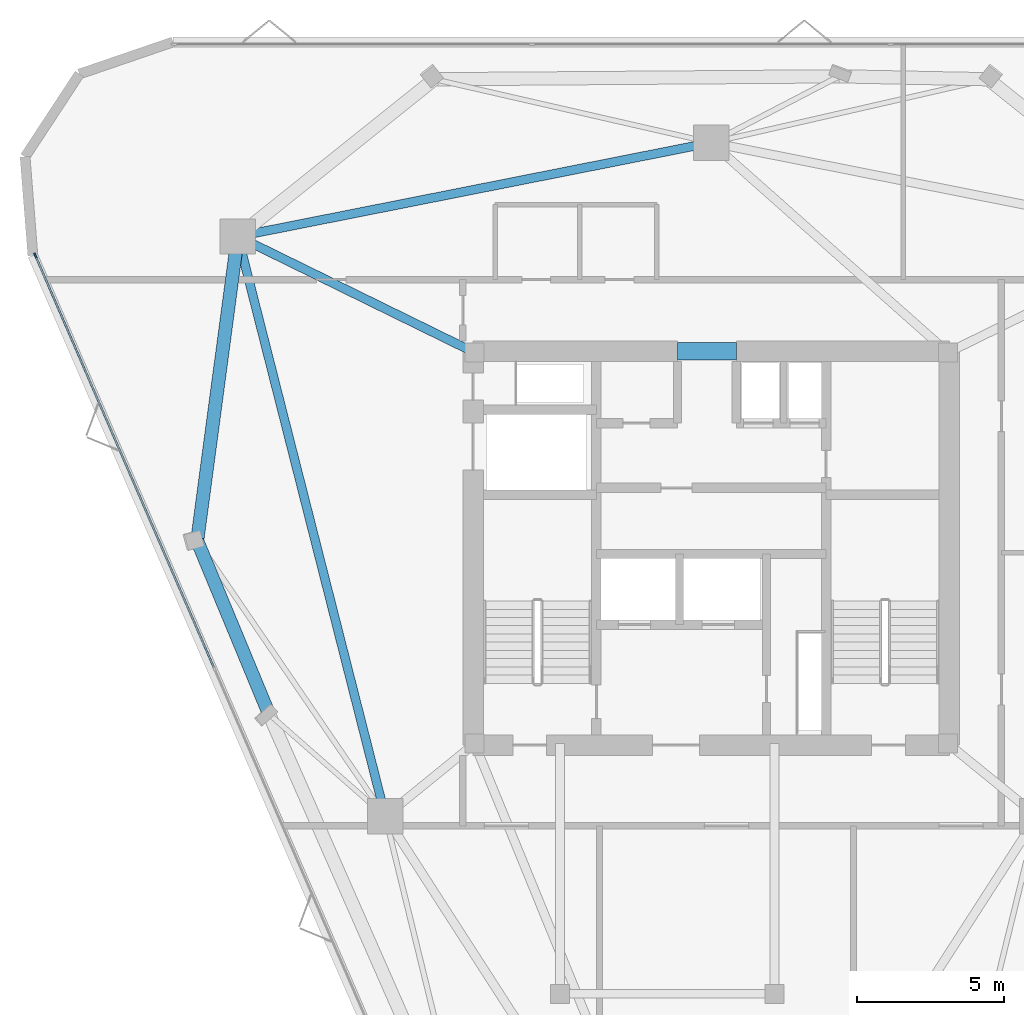
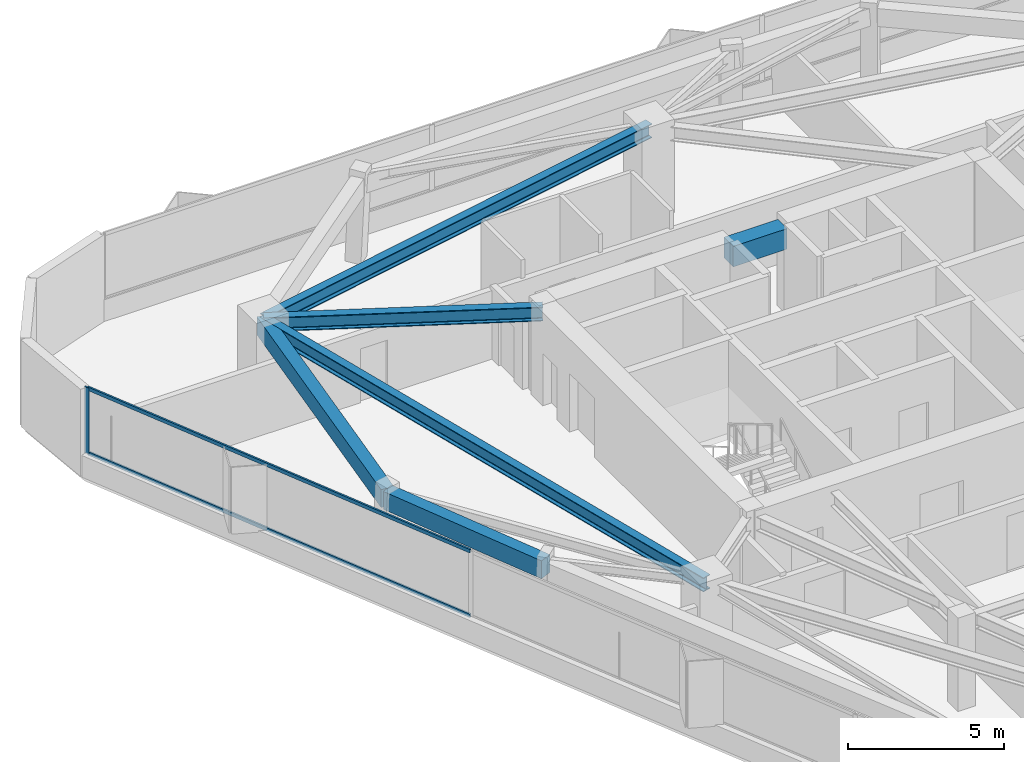
# One storey, part 5 of 11: 6 beams, 3 members, 1 element without a shape of its own.
"""IFC4 building model written with IfcOpenShell, lengths in metres."""

from ifc_helpers import new_model, si_unit, direction, frame, origin, origin_2d, place, context, subcontext, project, spatial, rectangle, i_section, extrude, material, layer, layer_set, material_profile, profile_set, type_object, element, aggregate, save


model = new_model("IFC4")

# Units and contexts
model_context = context("Model", 3, precision=1e-05, world=origin(), true_north=direction((0.0, 1.0)))
body_context = subcontext(model_context, "Body", "Model", "MODEL_VIEW")
ifc_project = project(units=[si_unit("LENGTHUNIT", "METRE"), si_unit("AREAUNIT", "SQUARE_METRE"), si_unit("VOLUMEUNIT", "CUBIC_METRE"), si_unit("PLANEANGLEUNIT", "RADIAN"), si_unit("MASSUNIT", "GRAM", prefix="KILO")], contexts=[model_context])

# Site, building, storey
site_placement = place(None, origin())
site = spatial("IfcSite", under=ifc_project, at=site_placement, CompositionType="ELEMENT")
building_placement = place(site_placement, origin())
building = spatial("IfcBuilding", under=site, at=building_placement, Name="Talyreon Biosciences Tower", CompositionType="ELEMENT")
storey_placement = place(building_placement, frame((0.0, 0.0, 249.85009765625)))
storey = spatial("IfcBuildingStorey", under=building, at=storey_placement, Name="L66", CompositionType="ELEMENT", Elevation=249.85009765625)

# Curtain wall, members
ifc_material_1 = material(Name="Thermally broken aluminium and low-E glazing", Category="aluminium")
ifc_layer = layer(ifc_material_1, 0.175048828125)
ifc_layer_set = layer_set([ifc_layer], Name="Thermally broken aluminium and low-E glazing")
curtain_wall_type = type_object("IfcCurtainWallType", Name="CurtainWall_Zone5CompLab", PredefinedType="NOTDEFINED", material=ifc_layer_set)
curtain_wall_placement = place(storey_placement, origin())
curtain_wall = element("IfcCurtainWall", 1, at=curtain_wall_placement, inside=storey, type_object=curtain_wall_type, Name="L66 Unitised Curtain Wall FCW-L66-00", PredefinedType="NOTDEFINED")
ifc_material_2 = material(Name="Anodised thermally broken aluminium", Category="aluminium")
ifc_material_profile_1 = material_profile(ifc_material_2, rectangle(XDim=0.06494140625, YDim=0.179931640625, at=origin_2d()), Name="ALUM MULLION 65x180")
ifc_profile_set_1 = profile_set([ifc_material_profile_1], Name="Anodised thermally broken aluminium")
member_type_1 = type_object("IfcMemberType", Name="CWMullion_65x180", PredefinedType="MULLION", material=ifc_profile_set_1)
member_1_placement = place(storey_placement, frame((43.010986328125, 77.95263671875, 0.809814453125), z_axis=(0.0, 0.0, 1.0), x_axis=(-0.91758594353, -0.397537465198, 0.0)))
member_1 = element("IfcMember", 2, at=member_1_placement, type_object=member_type_1, Name="CW6 mullion 4", PredefinedType="MULLION", context=body_context, shape_type="SweptSolid", body=[
    extrude(rectangle(XDim=0.06494140625, YDim=0.179931640625, at=origin_2d()), origin(), (0.0, 0.0, 1.0), 2.590087890625),
])
ifc_material_profile_2 = material_profile(ifc_material_2, rectangle(XDim=0.06494140625, YDim=0.139892578125, at=origin_2d()), Name="ALUM TRANSOM 65x140")
ifc_profile_set_2 = profile_set([ifc_material_profile_2], Name="Anodised thermally broken aluminium")
member_type_2 = type_object("IfcMemberType", Name="CWTransom_65x140", PredefinedType="USERDEFINED", material=ifc_profile_set_2)
member_2_placement = place(storey_placement, frame((49.08642578125, 63.929443359375, 0.84228515625), z_axis=(-0.397535103943, 0.917586966523, 0.0), x_axis=(-0.917586966523, -0.397535103943, 0.0)))
member_2 = element("IfcMember", 3, at=member_2_placement, type_object=member_type_2, Name="CW6 transom 3.1", ObjectType="TRANSOM", PredefinedType="USERDEFINED", context=body_context, shape_type="SweptSolid", body=[
    extrude(rectangle(XDim=0.06494140625, YDim=0.139892578125, at=origin_2d()), origin(), (0.0, 0.0, 1.0), 15.250244140625),
])
member_3_placement = place(storey_placement, frame((49.08642578125, 63.929443359375, 3.367431640625), z_axis=(-0.397535103943, 0.917586966523, 0.0), x_axis=(-0.917586966523, -0.397535103943, 0.0)))
member_3 = element("IfcMember", 4, at=member_3_placement, type_object=member_type_2, Name="CW6 transom 3.2", ObjectType="TRANSOM", PredefinedType="USERDEFINED", context=body_context, shape_type="SweptSolid", body=[
    extrude(rectangle(XDim=0.06494140625, YDim=0.139892578125, at=origin_2d()), origin(), (0.0, 0.0, 1.0), 15.250244140625),
])
aggregate(curtain_wall, [member_1, member_2, member_3])

# Beams
ifc_material_3 = material(Name="Concrete C50/60", Category="concrete")
ifc_material_profile_3 = material_profile(ifc_material_3, rectangle(XDim=0.60009765625, YDim=0.800048828125, at=origin_2d()), Name="RCB 600x800")
ifc_profile_set_3 = profile_set([ifc_material_profile_3], Name="Concrete C50/60")
beam_type_1 = type_object("IfcBeamType", Name="CoreCouplingLintel_600x800", PredefinedType="LINTEL", material=ifc_profile_set_3)
beam_1_placement = place(storey_placement, frame((64.85009765625, 74.699951171875, 3.0), z_axis=(1.0, 0.0, 0.0), x_axis=(0.0, 1.0, 0.0)))
element("IfcBeam", 5, at=beam_1_placement, inside=storey, type_object=beam_type_1, Name="L66 Core Coupling Lintel", PredefinedType="LINTEL", context=body_context, shape_type="SweptSolid", body=[
    extrude(rectangle(XDim=0.60009765625, YDim=0.800048828125, at=origin_2d()), origin(), (0.0, 0.0, 1.0), 2.0),
])
ifc_material_4 = material(Name="Precast concrete C45/55", Category="concrete")
ifc_material_profile_4 = material_profile(ifc_material_4, rectangle(XDim=0.449951171875, YDim=0.699951171875, at=origin_2d()), Name="RCB 450x700")
ifc_profile_set_4 = profile_set([ifc_material_profile_4], Name="Precast concrete C45/55")
beam_type_2 = type_object("IfcBeamType", Name="ExpressedSpandrel_450x700", PredefinedType="SPANDREL", material=ifc_profile_set_4)
beam_2_placement = place(storey_placement, frame((49.897705078125, 78.5986328125, 3.0498046875), z_axis=(-0.132322978841, -0.991206653161, 0.0), x_axis=(0.991206653161, -0.132322978841, 0.0)))
element("IfcBeam", 6, at=beam_2_placement, inside=storey, type_object=beam_type_2, Name="L66 Expressed Horizontal Concrete Spandrel 09", PredefinedType="SPANDREL", context=body_context, shape_type="SweptSolid", body=[
    extrude(rectangle(XDim=0.449951171875, YDim=0.699951171875, at=origin_2d()), origin(), (0.0, 0.0, 1.0), 10.44287109375),
])
beam_3_placement = place(storey_placement, frame((48.515869140625, 68.24755859375, 3.0498046875), z_axis=(0.382995915193, -0.923750035965, 0.0), x_axis=(0.923750035965, 0.382995915193, 0.0)))
element("IfcBeam", 7, at=beam_3_placement, inside=storey, type_object=beam_type_2, Name="L66 Expressed Horizontal Concrete Spandrel 10", PredefinedType="SPANDREL", context=body_context, shape_type="SweptSolid", body=[
    extrude(rectangle(XDim=0.449951171875, YDim=0.699951171875, at=origin_2d()), origin(), (0.0, 0.0, 1.0), 6.382080078125),
])
ifc_material_5 = material(Name="Steel SM355", Category="steel")
ifc_material_profile_5 = material_profile(ifc_material_5, i_section(OverallWidth=0.300048828125, OverallDepth=0.550048828125, WebThickness=0.014892578125, FlangeThickness=0.029052734375, FilletRadius=0.027099609375, at=origin_2d()), Name="HE550B")
ifc_profile_set_5 = profile_set([ifc_material_profile_5], Name="Steel SM355")
beam_type_3 = type_object("IfcBeamType", Name="SteelBeam_HE550B", PredefinedType="BEAM", material=ifc_profile_set_5)
beam_4_placement = place(storey_placement, frame((66.0, 81.788818359375, 3.125), z_axis=(-0.980933730698, -0.194342522311, 0.0), x_axis=(0.194342522311, -0.980933730698, 0.0)))
element("IfcBeam", 8, at=beam_4_placement, inside=storey, type_object=beam_type_3, Name="L66 Mega-Ring Girder 4", PredefinedType="BEAM", context=body_context, shape_type="SweptSolid", body=[
    extrude(i_section(OverallWidth=0.300048828125, OverallDepth=0.550048828125, WebThickness=0.014892578125, FlangeThickness=0.029052734375, FilletRadius=0.027099609375, at=origin_2d()), origin(), (0.0, 0.0, 1.0), 16.415283203125),
])
beam_5_placement = place(storey_placement, frame((49.897705078125, 78.5986328125, 3.125), z_axis=(0.246537082299, -0.969133358755, 0.0), x_axis=(0.969133358755, 0.246537082299, 0.0)))
element("IfcBeam", 9, at=beam_5_placement, inside=storey, type_object=beam_type_3, Name="L66 Mega-Ring Girder 5", PredefinedType="BEAM", context=body_context, shape_type="SweptSolid", body=[
    extrude(i_section(OverallWidth=0.300048828125, OverallDepth=0.550048828125, WebThickness=0.014892578125, FlangeThickness=0.029052734375, FilletRadius=0.027099609375, at=origin_2d()), origin(), (0.0, 0.0, 1.0), 20.34619140625),
])
beam_6_placement = place(storey_placement, frame((57.949951171875, 74.64990234375, 3.125), z_axis=(-0.897852360314, 0.440296648952, 0.0), x_axis=(-0.440296648952, -0.897852360314, 0.0)))
element("IfcBeam", 10, at=beam_6_placement, inside=storey, type_object=beam_type_3, Name="L66 Radial Primary Girder 5", PredefinedType="BEAM", context=body_context, shape_type="SweptSolid", body=[
    extrude(i_section(OverallWidth=0.300048828125, OverallDepth=0.550048828125, WebThickness=0.014892578125, FlangeThickness=0.029052734375, FilletRadius=0.027099609375, at=origin_2d()), origin(), (0.0, 0.0, 1.0), 8.96826171875),
])

save(model, "model.ifc")
